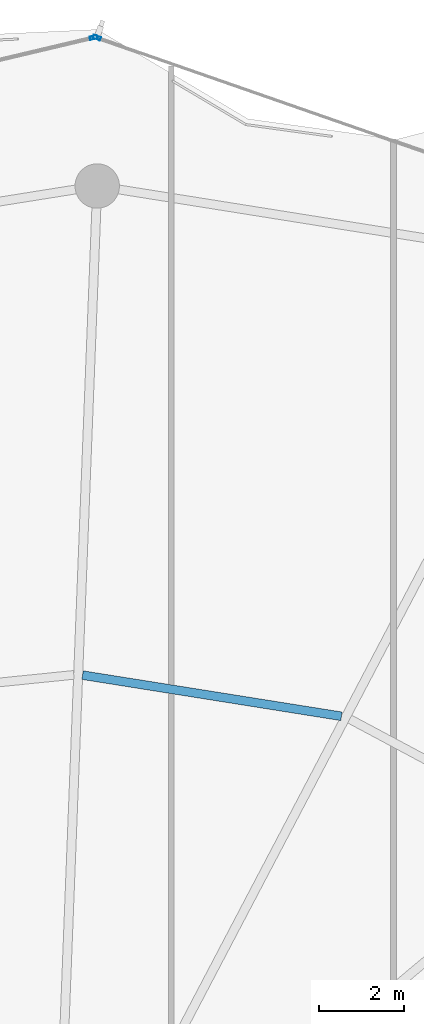
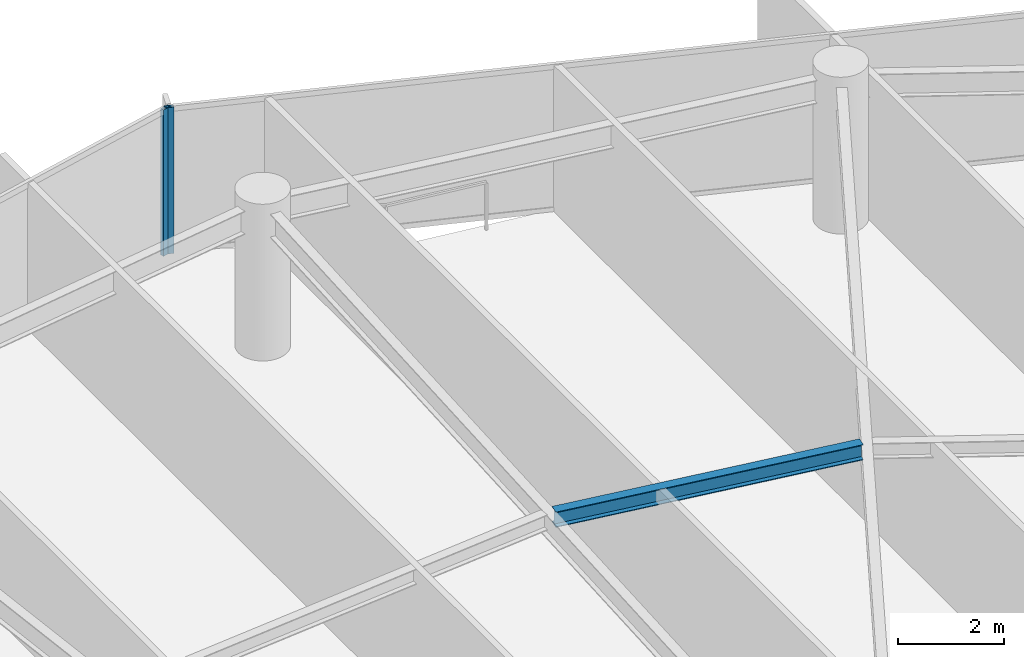
# One storey, part 19 of 29: 2 members, 1 beam, 2 elements without a shape of their own.
"""IFC4 building model written with IfcOpenShell, lengths in metres."""

from ifc_helpers import new_model, si_unit, direction, frame, origin, origin_2d, place, context, subcontext, project, spatial, hollow_rectangle, i_section, extrude, material, layer, layer_set, material_profile, profile_set, type_object, element, aggregate, save


model = new_model("IFC4")

# Units and contexts
model_context = context("Model", 3, precision=1e-05, world=origin(), true_north=direction((0.0, 1.0)))
body_context = subcontext(model_context, "Body", "Model", "MODEL_VIEW")
ifc_project = project(units=[si_unit("LENGTHUNIT", "METRE"), si_unit("AREAUNIT", "SQUARE_METRE"), si_unit("VOLUMEUNIT", "CUBIC_METRE"), si_unit("PLANEANGLEUNIT", "RADIAN"), si_unit("MASSUNIT", "GRAM", prefix="KILO")], contexts=[model_context])

# Site, building, storey
site_placement = place(None, origin())
site = spatial("IfcSite", under=ifc_project, at=site_placement, CompositionType="ELEMENT")
building_placement = place(site_placement, origin())
building = spatial("IfcBuilding", under=site, at=building_placement, Name="Kazevale Care Tower and Concert Hall", CompositionType="ELEMENT")
storey_placement = place(building_placement, frame((0.0, 0.0, 199.199951171875)))
storey = spatial("IfcBuildingStorey", under=building, at=storey_placement, Name="L52", CompositionType="ELEMENT", Elevation=199.199951171875)

# Curtain wall, member
ifc_material_1 = material(Name="Aluminium 6063-T6 and Low-E Glass", Category="aluminium")
ifc_layer_1 = layer(ifc_material_1, 0.179931640625)
ifc_layer_set_1 = layer_set([ifc_layer_1], Name="Aluminium 6063-T6 and Low-E Glass")
curtain_wall_type_1 = type_object("IfcCurtainWallType", Name="Convex Checkerboard Finned Curtain Wall CW-2", PredefinedType="NOTDEFINED", material=ifc_layer_set_1)
curtain_wall_1_placement = place(storey_placement, origin())
curtain_wall_1 = element("IfcCurtainWall", 1, at=curtain_wall_1_placement, inside=storey, type_object=curtain_wall_type_1, Name="cw:L52:f16", PredefinedType="NOTDEFINED")
ifc_material_2 = material(Name="Aluminium 6063-T6", Category="aluminium")
ifc_material_profile_1 = material_profile(ifc_material_2, hollow_rectangle(XDim=0.080078125, YDim=0.179931640625, WallThickness=0.0048828125, at=origin_2d()), Name="ALU80x180x5")
ifc_profile_set_1 = profile_set([ifc_material_profile_1], Name="Aluminium 6063-T6")
member_type_1 = type_object("IfcMemberType", Name="CW-2 Mullion ALU80x180x5", PredefinedType="MULLION", material=ifc_profile_set_1)
member_1_placement = place(storey_placement, frame((44.99169921875, 65.554931640625, 0.0), z_axis=(0.0, 0.0, 1.0), x_axis=(0.328583704497, 0.94447485363, 0.0)))
member_1 = element("IfcMember", 2, at=member_1_placement, type_object=member_type_1, Name="CW-2 mullion 1", PredefinedType="MULLION", context=body_context, shape_type="SweptSolid", body=[
    extrude(hollow_rectangle(XDim=0.080078125, YDim=0.179931640625, WallThickness=0.0048828125, at=origin_2d()), origin(), (0.0, 0.0, 1.0), 3.360107421875),
])
aggregate(curtain_wall_1, [member_1])

ifc_layer_2 = layer(ifc_material_1, 0.179931640625)
ifc_layer_set_2 = layer_set([ifc_layer_2], Name="Aluminium 6063-T6 and Low-E Glass")
curtain_wall_type_2 = type_object("IfcCurtainWallType", Name="Waist & Upper Residential Curtain Wall CW-4", PredefinedType="NOTDEFINED", material=ifc_layer_set_2)
curtain_wall_2_placement = place(storey_placement, origin())
curtain_wall_2 = element("IfcCurtainWall", 3, at=curtain_wall_2_placement, inside=storey, type_object=curtain_wall_type_2, Name="cw:L52:f15", PredefinedType="NOTDEFINED")
ifc_material_profile_2 = material_profile(ifc_material_2, hollow_rectangle(XDim=0.080078125, YDim=0.179931640625, WallThickness=0.0048828125, at=origin_2d()), Name="ALU80x180x5")
ifc_profile_set_2 = profile_set([ifc_material_profile_2], Name="Aluminium 6063-T6")
member_type_2 = type_object("IfcMemberType", Name="CW-4 Mullion ALU80x180x5", PredefinedType="MULLION", material=ifc_profile_set_2)
member_2_placement = place(storey_placement, frame((44.9150390625, 65.558837890625, 0.0), z_axis=(0.0, 0.0, 1.0), x_axis=(-0.230439111929, 0.973086746233, 0.0)))
member_2 = element("IfcMember", 4, at=member_2_placement, type_object=member_type_2, Name="CW-4 mullion 2", PredefinedType="MULLION", context=body_context, shape_type="SweptSolid", body=[
    extrude(hollow_rectangle(XDim=0.080078125, YDim=0.179931640625, WallThickness=0.0048828125, at=origin_2d()), origin(), (0.0, 0.0, 1.0), 3.360107421875),
])
aggregate(curtain_wall_2, [member_2])

# Beam
ifc_material_3 = material(Name="Steel ASTM A572 Gr 50", Category="steel")
ifc_material_profile_3 = material_profile(ifc_material_3, i_section(OverallWidth=0.205078125, OverallDepth=0.35400390625, WebThickness=0.009521484375, FlangeThickness=0.016845703125, at=origin_2d()), Name="W360x79")
ifc_profile_set_3 = profile_set([ifc_material_profile_3], Name="Steel ASTM A572 Gr 50")
beam_type = type_object("IfcBeamType", Name="Secondary Floor Joist W360x79", PredefinedType="JOIST", material=ifc_profile_set_3)
beam_placement = place(storey_placement, frame((50.77099609375, 49.51806640625, 3.18310546875), z_axis=(-0.987586560603, 0.157075731152, 0.0), x_axis=(-0.157075731152, -0.987586560603, 0.0)))
element("IfcBeam", 5, at=beam_placement, inside=storey, type_object=beam_type, Name="beam:L52:joist:04", PredefinedType="JOIST", context=body_context, shape_type="SweptSolid", body=[
    extrude(i_section(OverallWidth=0.205078125, OverallDepth=0.35400390625, WebThickness=0.009521484375, FlangeThickness=0.016845703125, at=origin_2d()), origin(), (0.0, 0.0, 1.0), 6.19384765625),
])

save(model, "model.ifc")
